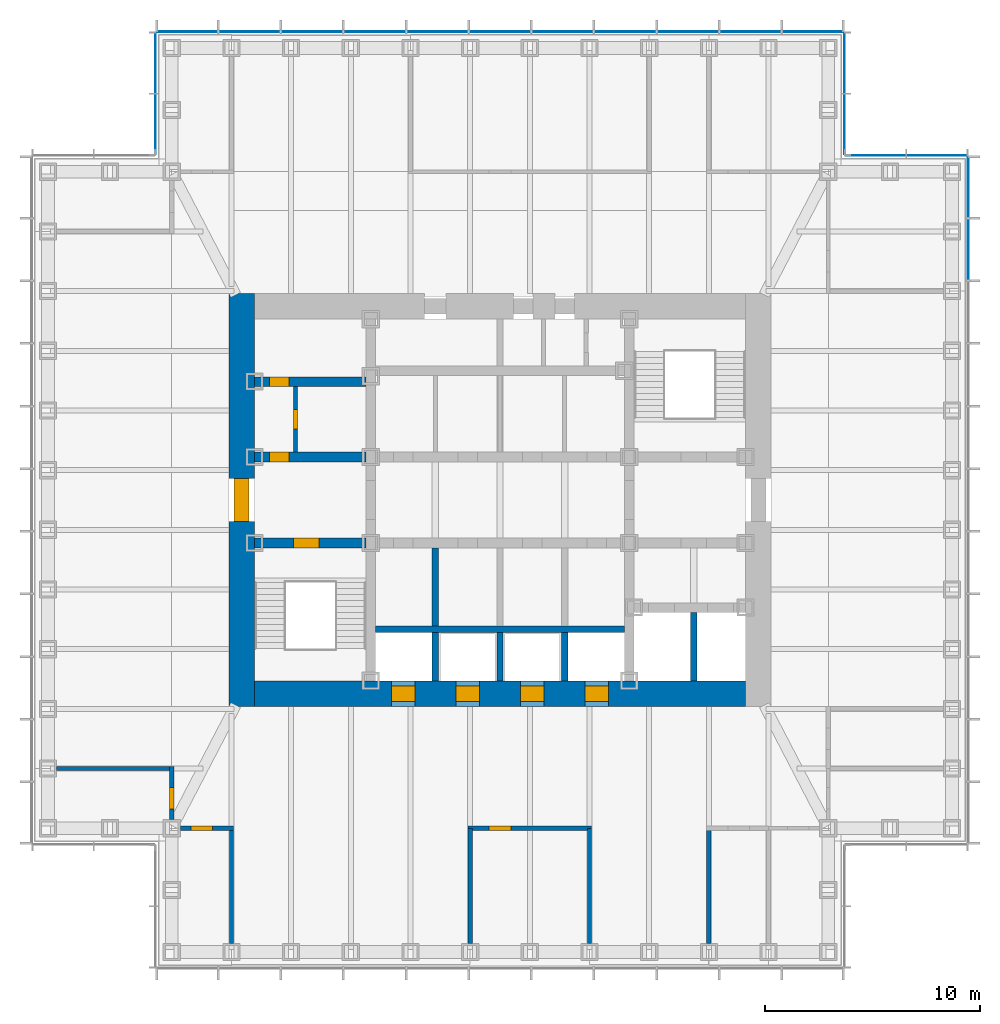
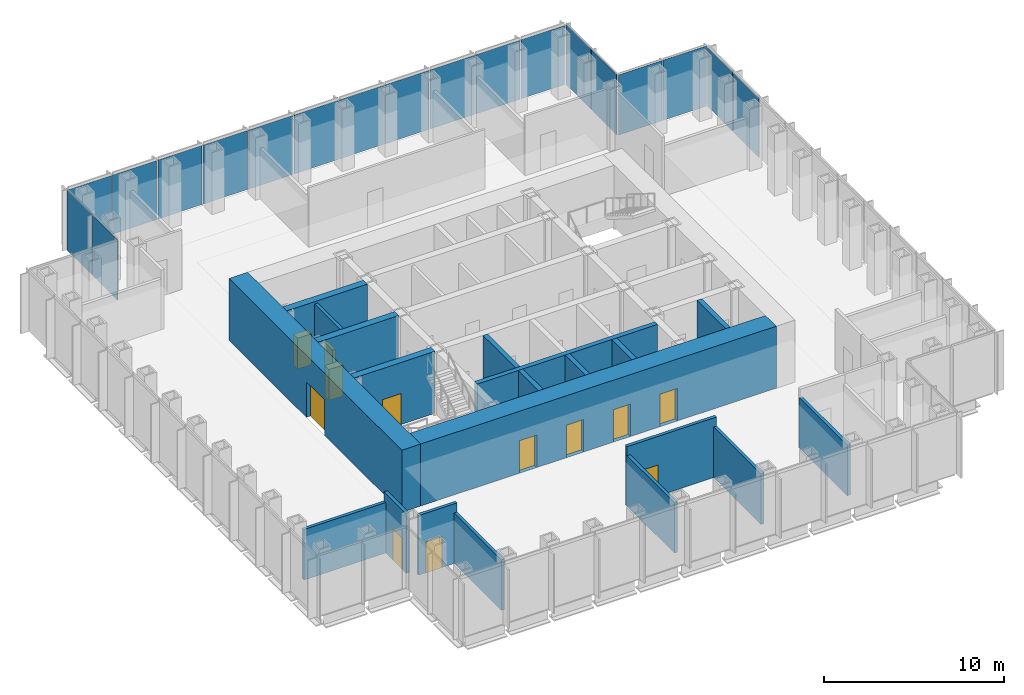
# One storey, part 8 of 16: 20 walls, 19 plates, 12 doors, 12 openings, 5 elements without a shape of their own.
"""IFC4 building model written with IfcOpenShell, lengths in metres."""

import ifcopenshell
import ifcopenshell.guid

model = None  # the IFC model being written
_history = None  # IfcOwnerHistory: only IFC2X3 demands one
_inside = {}  # id of a spatial element -> (the spatial element, [elements in it])
_under = {}  # id of a project, library or spatial element -> (it, [spatial elements below it])
_declared = {}  # id of a project -> (the project, [libraries it declares])
_typed = {}  # id of a type object -> (the type object, [elements of that type])
_made_of = {}  # id of a material, layer set ... -> (it, [elements and type objects made of it])


def new_model(schema):
    """Start an empty IFC model of exactly this schema.

    Asked for "IFC4X3", IfcOpenShell would pick the latest addendum, in which some entities
    have other attributes; the version numbers below select the first issue.
    IFC2X3 requires an IfcOwnerHistory on every rooted entity: one is made here for all.
    """
    global model, _history
    if schema == "IFC4X3":
        model = ifcopenshell.file(schema_version=(4, 3, 0, 0))
    else:
        model = ifcopenshell.file(schema=schema)
    _inside.clear()
    _under.clear()
    _declared.clear()
    _typed.clear()
    _made_of.clear()
    _history = None
    if model.schema == "IFC2X3":
        org = make("IfcOrganization", Name="unknown")
        user = make(
            "IfcPersonAndOrganization",
            ThePerson=make("IfcPerson", FamilyName="unknown"),
            TheOrganization=org,
        )
        app = make(
            "IfcApplication",
            ApplicationDeveloper=org,
            Version="unknown",
            ApplicationFullName="unknown",
            ApplicationIdentifier="unknown",
        )
        _history = make(
            "IfcOwnerHistory",
            OwningUser=user,
            OwningApplication=app,
            ChangeAction="ADDED",
            CreationDate=0,
        )
    return model


def make(cls, **values):
    """One entity of the class cls with the attributes given. An attribute that is None is left unset."""
    return model.create_entity(
        cls, **{name: value for name, value in values.items() if value is not None}
    )


def rooted(cls, **values):
    """An entity with a GlobalId (a new one), such as an element, a storey or a relation."""
    return make(cls, GlobalId=ifcopenshell.guid.new(), OwnerHistory=_history, **values)


def si_unit(unit_type, name, prefix=None):
    """IfcSIUnit, for example si_unit("LENGTHUNIT", "METRE", prefix="MILLI")."""
    return make("IfcSIUnit", UnitType=unit_type, Prefix=prefix, Name=name)


def assignment(units):
    """IfcUnitAssignment: the units of a project."""
    return None if units is None else make("IfcUnitAssignment", Units=units)


def point(xyz):
    """IfcCartesianPoint."""
    return None if xyz is None else make("IfcCartesianPoint", Coordinates=xyz)


def direction(xyz):
    """IfcDirection."""
    return None if xyz is None else make("IfcDirection", DirectionRatios=xyz)


def frame(location, z_axis=None, x_axis=None):
    """IfcAxis2Placement3D, a coordinate frame: its origin and axes. An axis left out is left unset."""
    return make(
        "IfcAxis2Placement3D",
        Location=point(location),
        Axis=direction(z_axis),
        RefDirection=direction(x_axis),
    )


def frame_2d(location, x_axis=None):
    """IfcAxis2Placement2D, a coordinate frame in the plane: its origin and x axis."""
    return make(
        "IfcAxis2Placement2D", Location=point(location), RefDirection=direction(x_axis)
    )


def origin():
    """The frame at (0, 0, 0) with its axes left unset."""
    return frame((0.0, 0.0, 0.0))


def origin_2d():
    """The frame at (0, 0) in the plane with its x axis left unset."""
    return frame_2d((0.0, 0.0))


def place(relative_to, where):
    """IfcLocalPlacement: puts the frame where relative to a parent placement (None: the world)."""
    return make(
        "IfcLocalPlacement", PlacementRelTo=relative_to, RelativePlacement=where
    )


def context(
    kind, dimensions, precision=None, world=None, true_north=None, identifier=None
):
    """IfcGeometricRepresentationContext, for example the 3D "Model" context."""
    return make(
        "IfcGeometricRepresentationContext",
        ContextIdentifier=identifier,
        ContextType=kind,
        CoordinateSpaceDimension=dimensions,
        Precision=precision,
        WorldCoordinateSystem=world,
        TrueNorth=true_north,
    )


def subcontext(parent, identifier, kind, view, scale=None):
    """IfcGeometricRepresentationSubContext, for example "Body" below "Model"."""
    return make(
        "IfcGeometricRepresentationSubContext",
        ContextIdentifier=identifier,
        ContextType=kind,
        ParentContext=parent,
        TargetScale=scale,
        TargetView=view,
    )


def project(units=None, contexts=None):
    """IfcProject with its units and contexts."""
    return rooted(
        "IfcProject",
        Name="project",
        RepresentationContexts=contexts,
        UnitsInContext=assignment(units),
    )


def spatial(cls, under=None, at=None, **own):
    """A site, building, storey or space (cls), placed at a placement, below another one or the project."""
    s = rooted(cls, ObjectPlacement=at, **own)
    if under is not None:
        _under.setdefault(under.id(), (under, []))[1].append(s)
    return s


def profile(cls, at=None, kind="AREA", **sizes):
    """A parametric profile (cls). Its sizes go by their IFC names, for example OverallWidth=200.0."""
    return make(cls, ProfileType=kind, Position=at, **sizes)


def rectangle(**sizes):
    """IfcRectangleProfileDef."""
    return profile("IfcRectangleProfileDef", **sizes)


def extrude(swept, where, along, depth):
    """IfcExtrudedAreaSolid: the profile swept, set in the frame where, extruded along a direction by depth."""
    return make(
        "IfcExtrudedAreaSolid",
        SweptArea=swept,
        Position=where,
        ExtrudedDirection=direction(along),
        Depth=depth,
    )


def shape(context_of_items, identifier, shape_type, items):
    """IfcShapeRepresentation: the items that make up one representation, for example the "Body"."""
    return make(
        "IfcShapeRepresentation",
        ContextOfItems=context_of_items,
        RepresentationIdentifier=identifier,
        RepresentationType=shape_type,
        Items=items,
    )


def material(Name=None, Category=None):
    """IfcMaterial."""
    return make("IfcMaterial", Name=Name, Category=Category)


def layer(
    of_material, thickness, ventilated=None, Name=None, Category=None, Priority=None
):
    """IfcMaterialLayer: one layer of a wall or slab, of a material (None: an air gap)."""
    return make(
        "IfcMaterialLayer",
        Material=of_material,
        LayerThickness=thickness,
        IsVentilated=ventilated,
        Name=Name,
        Category=Category,
        Priority=Priority,
    )


def layer_set(layers, Name=None):
    """IfcMaterialLayerSet."""
    return make("IfcMaterialLayerSet", MaterialLayers=layers, LayerSetName=Name)


def made_of(thing, what):
    """Note that an element or type object is made of a material, layer set ...; save() writes the relation."""
    if what is not None:
        _made_of.setdefault(what.id(), (what, []))[1].append(thing)
    return thing


def type_object(cls, material=None, **own):
    """A type object (cls), such as IfcWallType, which elements share."""
    return made_of(rooted(cls, **own), material)


def element(
    cls,
    number,
    at=None,
    inside=None,
    cuts=None,
    type_object=None,
    material=None,
    context=None,
    identifier="Body",
    shape_type=None,
    held_by="IfcProductDefinitionShape",
    body=None,
    shapes=None,
    **own,
):
    """One element of the class cls, such as IfcWall. Its Tag is "e" and its number.

    at: its placement. inside: the storey or other place that contains it. cuts: it is an
    opening in that element (IfcRelVoidsElement). A single representation is given by context,
    identifier, shape_type and body (its items); several are given by shapes. held_by: the class
    of the entity that holds the representations. save() writes the other relations.
    """
    e = rooted(cls, Tag="e%d" % number, ObjectPlacement=at, **own)
    if body is not None:
        shapes = [shape(context, identifier, shape_type, body)]
    if shapes is not None:
        e.Representation = make(held_by, Representations=shapes)
    if inside is not None:
        _inside.setdefault(inside.id(), (inside, []))[1].append(e)
    if cuts is not None:
        rooted(
            "IfcRelVoidsElement", RelatingBuildingElement=cuts, RelatedOpeningElement=e
        )
    if type_object is not None:
        _typed.setdefault(type_object.id(), (type_object, []))[1].append(e)
    return made_of(e, material)


def fill(opening, filler):
    """IfcRelFillsElement: the door or window that sits in an opening."""
    return rooted(
        "IfcRelFillsElement",
        RelatingOpeningElement=opening,
        RelatedBuildingElement=filler,
    )


def aggregate(whole, parts):
    """IfcRelAggregates: a whole, such as a stair, and the parts it consists of."""
    return rooted("IfcRelAggregates", RelatingObject=whole, RelatedObjects=parts)


def save(model, path):
    """Write the relations noted so far, then the file.

    IfcRelAggregates (storeys below a building ...), IfcRelContainedInSpatialStructure (elements
    in a storey), IfcRelDefinesByType, IfcRelAssociatesMaterial and IfcRelDeclares: one each for
    every whole, place, type object, material and project.
    """
    for whole, parts in _under.values():
        aggregate(whole, parts)
    for where, things in _inside.values():
        rooted(
            "IfcRelContainedInSpatialStructure",
            RelatedElements=things,
            RelatingStructure=where,
        )
    for kind, things in _typed.values():
        rooted("IfcRelDefinesByType", RelatedObjects=things, RelatingType=kind)
    for what, things in _made_of.values():
        rooted("IfcRelAssociatesMaterial", RelatedObjects=things, RelatingMaterial=what)
    for by, libraries in _declared.values():
        rooted("IfcRelDeclares", RelatingContext=by, RelatedDefinitions=libraries)
    model.write(path)


model = new_model("IFC4")

# Units and contexts
model_context = context("Model", 3, precision=1e-05, world=origin(), true_north=direction((0.0, 1.0)))
body_context = subcontext(model_context, "Body", "Model", "MODEL_VIEW")
ifc_project = project(units=[si_unit("LENGTHUNIT", "METRE"), si_unit("AREAUNIT", "SQUARE_METRE"), si_unit("VOLUMEUNIT", "CUBIC_METRE"), si_unit("PLANEANGLEUNIT", "RADIAN"), si_unit("MASSUNIT", "GRAM", prefix="KILO")], contexts=[model_context])

# Site, building, storey
site_placement = place(None, origin())
site = spatial("IfcSite", under=ifc_project, at=site_placement, CompositionType="ELEMENT")
building_placement = place(site_placement, origin())
building = spatial("IfcBuilding", under=site, at=building_placement, Name="Daluyong Arena Tower", CompositionType="ELEMENT")
storey_placement = place(building_placement, frame((0.0, 0.0, 258.699951171875)))
storey = spatial("IfcBuildingStorey", under=building, at=storey_placement, Name="L58", CompositionType="ELEMENT", Elevation=258.699951171875)

# Curtain wall, plates
ifc_material_1 = material(Name="Bronze anodised aluminium and glass", Category="aluminium")
curtain_wall_type_1 = type_object("IfcCurtainWallType", Name="Curtain wall CW4", PredefinedType="USERDEFINED", material=ifc_material_1)
curtain_wall_1_placement = place(storey_placement, origin())
curtain_wall_1 = element("IfcCurtainWall", 1, at=curtain_wall_1_placement, inside=storey, type_object=curtain_wall_type_1, Name="curtain wall L58 E", ObjectType="UNITISED CURTAIN WALL", PredefinedType="USERDEFINED")
ifc_material_2 = material(Name="Tinted laminated double glazed unit", Category="glass")
ifc_layer_1 = layer(ifc_material_2, 0.035888671875)
ifc_layer_set_1 = layer_set([ifc_layer_1], Name="Tinted laminated double glazed unit")
plate_type_1 = type_object("IfcPlateType", Name="CW4 panel 36", PredefinedType="CURTAIN_PANEL", material=ifc_layer_set_1)
plate_1_placement = place(storey_placement, frame((77.75, 91.636474609375, 0.0), z_axis=(0.0, 0.0, 1.0), x_axis=(0.0, 1.0, 0.0)))
plate_1 = element("IfcPlate", 2, at=plate_1_placement, type_object=plate_type_1, Name="curtain wall L58 E panel 10", PredefinedType="CURTAIN_PANEL", context=body_context, shape_type="SweptSolid", body=[
    extrude(rectangle(XDim=2.819091796875, YDim=0.035888671875, at=origin_2d()), origin(), (0.0, 0.0, 1.0), 4.0),
])
plate_2_placement = place(storey_placement, frame((77.75, 94.52294921875, 0.0), z_axis=(0.0, 0.0, 1.0), x_axis=(0.0, 1.0, 0.0)))
plate_2 = element("IfcPlate", 3, at=plate_2_placement, type_object=plate_type_1, Name="curtain wall L58 E panel 11", PredefinedType="CURTAIN_PANEL", context=body_context, shape_type="SweptSolid", body=[
    extrude(rectangle(XDim=2.774169921875, YDim=0.035888671875, at=origin_2d()), origin(), (0.0, 0.0, 1.0), 4.0),
])
aggregate(curtain_wall_1, [plate_1, plate_2])

curtain_wall_2_placement = place(storey_placement, origin())
curtain_wall_2 = element("IfcCurtainWall", 4, at=curtain_wall_2_placement, inside=storey, type_object=curtain_wall_type_1, Name="curtain wall L58 N", ObjectType="UNITISED CURTAIN WALL", PredefinedType="USERDEFINED")
plate_3_placement = place(storey_placement, frame((70.52294921875, 101.75, 0.0), z_axis=(0.0, 0.0, 1.0), x_axis=(-1.0, 0.0, 0.0)))
plate_3 = element("IfcPlate", 5, at=plate_3_placement, type_object=plate_type_1, Name="curtain wall L58 N panel 1", PredefinedType="CURTAIN_PANEL", context=body_context, shape_type="SweptSolid", body=[
    extrude(rectangle(XDim=2.774169921875, YDim=0.035888671875, at=origin_2d()), origin(), (0.0, 0.0, 1.0), 4.0),
])
plate_4_placement = place(storey_placement, frame((67.636474609375, 101.75, 0.0), z_axis=(0.0, 0.0, 1.0), x_axis=(-1.0, 0.0, 0.0)))
plate_4 = element("IfcPlate", 6, at=plate_4_placement, type_object=plate_type_1, Name="curtain wall L58 N panel 2", PredefinedType="CURTAIN_PANEL", context=body_context, shape_type="SweptSolid", body=[
    extrude(rectangle(XDim=2.819091796875, YDim=0.035888671875, at=origin_2d()), origin(), (0.0, 0.0, 1.0), 4.0),
])
plate_5_placement = place(storey_placement, frame((64.727294921875, 101.75, 0.0), z_axis=(0.0, 0.0, 1.0), x_axis=(-1.0, 0.0, 0.0)))
plate_5 = element("IfcPlate", 7, at=plate_5_placement, type_object=plate_type_1, Name="curtain wall L58 N panel 3", PredefinedType="CURTAIN_PANEL", context=body_context, shape_type="SweptSolid", body=[
    extrude(rectangle(XDim=2.819091796875, YDim=0.035888671875, at=origin_2d()), origin(), (0.0, 0.0, 1.0), 4.0),
])
plate_6_placement = place(storey_placement, frame((61.818115234375, 101.75, 0.0), z_axis=(0.0, 0.0, 1.0), x_axis=(-1.0, 0.0, 0.0)))
plate_6 = element("IfcPlate", 8, at=plate_6_placement, type_object=plate_type_1, Name="curtain wall L58 N panel 4", PredefinedType="CURTAIN_PANEL", context=body_context, shape_type="SweptSolid", body=[
    extrude(rectangle(XDim=2.819091796875, YDim=0.035888671875, at=origin_2d()), origin(), (0.0, 0.0, 1.0), 4.0),
])
plate_7_placement = place(storey_placement, frame((58.9091796875, 101.75, 0.0), z_axis=(0.0, 0.0, 1.0), x_axis=(-1.0, 0.0, 0.0)))
plate_7 = element("IfcPlate", 9, at=plate_7_placement, type_object=plate_type_1, Name="curtain wall L58 N panel 5", PredefinedType="CURTAIN_PANEL", context=body_context, shape_type="SweptSolid", body=[
    extrude(rectangle(XDim=2.819091796875, YDim=0.035888671875, at=origin_2d()), origin(), (0.0, 0.0, 1.0), 4.0),
])
plate_8_placement = place(storey_placement, frame((56.0, 101.75, 0.0), z_axis=(0.0, 0.0, 1.0), x_axis=(-1.0, 0.0, 0.0)))
plate_8 = element("IfcPlate", 10, at=plate_8_placement, type_object=plate_type_1, Name="curtain wall L58 N panel 6", PredefinedType="CURTAIN_PANEL", context=body_context, shape_type="SweptSolid", body=[
    extrude(rectangle(XDim=2.819091796875, YDim=0.035888671875, at=origin_2d()), origin(), (0.0, 0.0, 1.0), 4.0),
])
plate_9_placement = place(storey_placement, frame((53.0908203125, 101.75, 0.0), z_axis=(0.0, 0.0, 1.0), x_axis=(-1.0, 0.0, 0.0)))
plate_9 = element("IfcPlate", 11, at=plate_9_placement, type_object=plate_type_1, Name="curtain wall L58 N panel 7", PredefinedType="CURTAIN_PANEL", context=body_context, shape_type="SweptSolid", body=[
    extrude(rectangle(XDim=2.819091796875, YDim=0.035888671875, at=origin_2d()), origin(), (0.0, 0.0, 1.0), 4.0),
])
plate_10_placement = place(storey_placement, frame((50.181884765625, 101.75, 0.0), z_axis=(0.0, 0.0, 1.0), x_axis=(-1.0, 0.0, 0.0)))
plate_10 = element("IfcPlate", 12, at=plate_10_placement, type_object=plate_type_1, Name="curtain wall L58 N panel 8", PredefinedType="CURTAIN_PANEL", context=body_context, shape_type="SweptSolid", body=[
    extrude(rectangle(XDim=2.819091796875, YDim=0.035888671875, at=origin_2d()), origin(), (0.0, 0.0, 1.0), 4.0),
])
plate_11_placement = place(storey_placement, frame((47.272705078125, 101.75, 0.0), z_axis=(0.0, 0.0, 1.0), x_axis=(-1.0, 0.0, 0.0)))
plate_11 = element("IfcPlate", 13, at=plate_11_placement, type_object=plate_type_1, Name="curtain wall L58 N panel 9", PredefinedType="CURTAIN_PANEL", context=body_context, shape_type="SweptSolid", body=[
    extrude(rectangle(XDim=2.819091796875, YDim=0.035888671875, at=origin_2d()), origin(), (0.0, 0.0, 1.0), 4.0),
])
plate_12_placement = place(storey_placement, frame((44.363525390625, 101.75, 0.0), z_axis=(0.0, 0.0, 1.0), x_axis=(-1.0, 0.0, 0.0)))
plate_12 = element("IfcPlate", 14, at=plate_12_placement, type_object=plate_type_1, Name="curtain wall L58 N panel 10", PredefinedType="CURTAIN_PANEL", context=body_context, shape_type="SweptSolid", body=[
    extrude(rectangle(XDim=2.819091796875, YDim=0.035888671875, at=origin_2d()), origin(), (0.0, 0.0, 1.0), 4.0),
])
plate_13_placement = place(storey_placement, frame((41.47705078125, 101.75, 0.0), z_axis=(0.0, 0.0, 1.0), x_axis=(-1.0, 0.0, 0.0)))
plate_13 = element("IfcPlate", 15, at=plate_13_placement, type_object=plate_type_1, Name="curtain wall L58 N panel 11", PredefinedType="CURTAIN_PANEL", context=body_context, shape_type="SweptSolid", body=[
    extrude(rectangle(XDim=2.774169921875, YDim=0.035888671875, at=origin_2d()), origin(), (0.0, 0.0, 1.0), 4.0),
])
aggregate(curtain_wall_2, [plate_3, plate_4, plate_5, plate_6, plate_7, plate_8, plate_9, plate_10, plate_11, plate_12, plate_13])

ifc_material_3 = material(Name="Bronze anodised aluminium and glass", Category="aluminium")
curtain_wall_type_2 = type_object("IfcCurtainWallType", Name="Curtain wall CW7", PredefinedType="USERDEFINED", material=ifc_material_3)
curtain_wall_3_placement = place(storey_placement, origin())
curtain_wall_3 = element("IfcCurtainWall", 16, at=curtain_wall_3_placement, inside=storey, type_object=curtain_wall_type_2, Name="curtain wall L58 NE-N", ObjectType="UNITISED CURTAIN WALL", PredefinedType="USERDEFINED")
ifc_material_4 = material(Name="Tinted double glazed unit", Category="glass")
ifc_layer_2 = layer(ifc_material_4, 0.028076171875)
ifc_layer_set_2 = layer_set([ifc_layer_2], Name="Tinted double glazed unit")
plate_type_2 = type_object("IfcPlateType", Name="CW7 panel 28", PredefinedType="CURTAIN_PANEL", material=ifc_layer_set_2)
plate_14_placement = place(storey_placement, frame((76.297607421875, 96.0, 0.0), z_axis=(0.0, 0.0, 1.0), x_axis=(-1.0, 0.0, 0.0)))
plate_14 = element("IfcPlate", 17, at=plate_14_placement, type_object=plate_type_2, Name="curtain wall L58 NE-N panel 1", PredefinedType="CURTAIN_PANEL", context=body_context, shape_type="SweptSolid", body=[
    extrude(rectangle(XDim=2.784912109375, YDim=0.028076171875, at=origin_2d()), origin(), (0.0, 0.0, 1.0), 4.080078125),
])
plate_15_placement = place(storey_placement, frame((73.452392578125, 96.0, 0.0), z_axis=(0.0, 0.0, 1.0), x_axis=(-1.0, 0.0, 0.0)))
plate_15 = element("IfcPlate", 18, at=plate_15_placement, type_object=plate_type_2, Name="curtain wall L58 NE-N panel 2", PredefinedType="CURTAIN_PANEL", context=body_context, shape_type="SweptSolid", body=[
    extrude(rectangle(XDim=2.784912109375, YDim=0.028076171875, at=origin_2d()), origin(), (0.0, 0.0, 1.0), 4.080078125),
])
aggregate(curtain_wall_3, [plate_14, plate_15])

curtain_wall_4_placement = place(storey_placement, origin())
curtain_wall_4 = element("IfcCurtainWall", 19, at=curtain_wall_4_placement, inside=storey, type_object=curtain_wall_type_2, Name="curtain wall L58 NE-E", ObjectType="UNITISED CURTAIN WALL", PredefinedType="USERDEFINED")
plate_16_placement = place(storey_placement, frame((72.0, 97.452392578125, 0.0), z_axis=(0.0, 0.0, 1.0), x_axis=(0.0, 1.0, 0.0)))
plate_16 = element("IfcPlate", 20, at=plate_16_placement, type_object=plate_type_2, Name="curtain wall L58 NE-E panel 1", PredefinedType="CURTAIN_PANEL", context=body_context, shape_type="SweptSolid", body=[
    extrude(rectangle(XDim=2.784912109375, YDim=0.028076171875, at=origin_2d()), origin(), (0.0, 0.0, 1.0), 4.080078125),
])
plate_17_placement = place(storey_placement, frame((72.0, 100.297607421875, 0.0), z_axis=(0.0, 0.0, 1.0), x_axis=(0.0, 1.0, 0.0)))
plate_17 = element("IfcPlate", 21, at=plate_17_placement, type_object=plate_type_2, Name="curtain wall L58 NE-E panel 2", PredefinedType="CURTAIN_PANEL", context=body_context, shape_type="SweptSolid", body=[
    extrude(rectangle(XDim=2.784912109375, YDim=0.028076171875, at=origin_2d()), origin(), (0.0, 0.0, 1.0), 4.080078125),
])
aggregate(curtain_wall_4, [plate_16, plate_17])

curtain_wall_5_placement = place(storey_placement, origin())
curtain_wall_5 = element("IfcCurtainWall", 22, at=curtain_wall_5_placement, inside=storey, type_object=curtain_wall_type_2, Name="curtain wall L58 NW-W", ObjectType="UNITISED CURTAIN WALL", PredefinedType="USERDEFINED")
plate_18_placement = place(storey_placement, frame((40.0, 100.297607421875, 0.0), z_axis=(0.0, 0.0, 1.0), x_axis=(0.0, -1.0, 0.0)))
plate_18 = element("IfcPlate", 23, at=plate_18_placement, type_object=plate_type_2, Name="curtain wall L58 NW-W panel 1", PredefinedType="CURTAIN_PANEL", context=body_context, shape_type="SweptSolid", body=[
    extrude(rectangle(XDim=2.784912109375, YDim=0.028076171875, at=origin_2d()), origin(), (0.0, 0.0, 1.0), 4.080078125),
])
plate_19_placement = place(storey_placement, frame((40.0, 97.452392578125, 0.0), z_axis=(0.0, 0.0, 1.0), x_axis=(0.0, -1.0, 0.0)))
plate_19 = element("IfcPlate", 24, at=plate_19_placement, type_object=plate_type_2, Name="curtain wall L58 NW-W panel 2", PredefinedType="CURTAIN_PANEL", context=body_context, shape_type="SweptSolid", body=[
    extrude(rectangle(XDim=2.784912109375, YDim=0.028076171875, at=origin_2d()), origin(), (0.0, 0.0, 1.0), 4.080078125),
])
aggregate(curtain_wall_5, [plate_18, plate_19])

# Wall, opening, door
ifc_material_5 = material(Name="Concrete fc' 45 MPa", Category="concrete")
ifc_layer_3 = layer(ifc_material_5, 0.449951171875)
ifc_layer_set_3 = layer_set([ifc_layer_3], Name="Concrete fc' 45 MPa")
wall_type_1 = type_object("IfcWallType", Name="Core inner wall 450", PredefinedType="SHEAR", material=ifc_layer_set_3)
wall_1_placement = place(storey_placement, frame((44.60009765625, 78.0, 0.0), z_axis=(0.0, 0.0, 1.0), x_axis=(1.0, 0.0, 0.0)))
wall_1 = element("IfcWall", 25, at=wall_1_placement, inside=storey, type_object=wall_type_1, Name="core inner wall at L58", PredefinedType="SHEAR", context=body_context, shape_type="SweptSolid", body=[
    extrude(rectangle(XDim=5.1748046875, YDim=0.449951171875, at=frame_2d((2.58740234375, 0.0))), origin(), (0.0, 0.0, 1.0), 4.199951171875),
])
opening_1_placement = place(wall_1_placement, frame((1.800048828125, 0.0, 0.0)))
opening_1 = element("IfcOpeningElement", 26, at=opening_1_placement, cuts=wall_1, Name="Opening 58016", PredefinedType="OPENING", context=body_context, shape_type="SweptSolid", body=[
    extrude(rectangle(XDim=1.199951171875, YDim=2.10009765625, at=frame_2d((0.60009765625, 1.050048828125))), frame((0.0, 0.23486328125, 0.0), z_axis=(0.0, -1.0, 0.0), x_axis=(1.0, 0.0, 0.0)), (0.0, 0.0, 1.0), 0.469970703125),
])
ifc_material_6 = material(Name="Steel door, fire rated", Category="steel")
door_type_1 = type_object("IfcDoorType", Name="Stair door 1200", OperationType="SINGLE_SWING_LEFT", PredefinedType="DOOR", material=ifc_material_6)
door_1_placement = place(opening_1_placement, origin())
door_1 = element("IfcDoor", 27, at=door_1_placement, inside=storey, type_object=door_type_1, Name="stair A door 58016", OperationType="SINGLE_SWING_LEFT", OverallHeight=2.10009765625, OverallWidth=1.199951171875, PredefinedType="DOOR", context=body_context, shape_type="SweptSolid", body=[
    extrude(rectangle(XDim=1.199951171875, YDim=2.10009765625, at=frame_2d((0.60009765625, 1.050048828125))), frame((0.0, 0.224609375, 0.0), z_axis=(0.0, -1.0, 0.0), x_axis=(1.0, 0.0, 0.0)), (0.0, 0.0, 1.0), 0.449462890625),
])
fill(opening_1, door_1)

wall_2_placement = place(storey_placement, frame((44.60009765625, 82.0, 0.0), z_axis=(0.0, 0.0, 1.0), x_axis=(1.0, 0.0, 0.0)))
wall_2 = element("IfcWall", 28, at=wall_2_placement, inside=storey, type_object=wall_type_1, Name="core inner wall at L58", PredefinedType="SHEAR", context=body_context, shape_type="SweptSolid", body=[
    extrude(rectangle(XDim=5.1748046875, YDim=0.449951171875, at=frame_2d((2.58740234375, 0.0))), origin(), (0.0, 0.0, 1.0), 4.199951171875),
])
opening_2_placement = place(wall_2_placement, frame((0.699951171875, 0.0, 0.0)))
opening_2 = element("IfcOpeningElement", 29, at=opening_2_placement, cuts=wall_2, Name="Opening 58001", PredefinedType="OPENING", context=body_context, shape_type="SweptSolid", body=[
    extrude(rectangle(XDim=0.89990234375, YDim=2.10009765625, at=frame_2d((0.449951171875, 1.050048828125))), frame((0.0, 0.23486328125, 0.0), z_axis=(0.0, -1.0, 0.0), x_axis=(1.0, 0.0, 0.0)), (0.0, 0.0, 1.0), 0.469970703125),
])
ifc_material_7 = material(Name="Steel door, fire rated", Category="steel")
door_type_2 = type_object("IfcDoorType", Name="Core room door 900", OperationType="SINGLE_SWING_LEFT", PredefinedType="DOOR", material=ifc_material_7)
door_2_placement = place(opening_2_placement, origin())
door_2 = element("IfcDoor", 30, at=door_2_placement, inside=storey, type_object=door_type_2, Name="toilet lobby door 58001", OperationType="SINGLE_SWING_LEFT", OverallHeight=2.10009765625, OverallWidth=0.89990234375, PredefinedType="DOOR", context=body_context, shape_type="SweptSolid", body=[
    extrude(rectangle(XDim=0.89990234375, YDim=2.10009765625, at=frame_2d((0.449951171875, 1.050048828125))), frame((0.0, 0.224609375, 0.0), z_axis=(0.0, -1.0, 0.0), x_axis=(1.0, 0.0, 0.0)), (0.0, 0.0, 1.0), 0.449462890625),
])
fill(opening_2, door_2)

wall_3_placement = place(storey_placement, frame((44.60009765625, 85.5, 0.0), z_axis=(0.0, 0.0, 1.0), x_axis=(1.0, 0.0, 0.0)))
wall_3 = element("IfcWall", 31, at=wall_3_placement, inside=storey, type_object=wall_type_1, Name="core inner wall at L58", PredefinedType="SHEAR", context=body_context, shape_type="SweptSolid", body=[
    extrude(rectangle(XDim=5.1748046875, YDim=0.449951171875, at=frame_2d((2.58740234375, 0.0))), origin(), (0.0, 0.0, 1.0), 4.199951171875),
])
opening_3_placement = place(wall_3_placement, frame((0.699951171875, 0.0, 0.0)))
opening_3 = element("IfcOpeningElement", 32, at=opening_3_placement, cuts=wall_3, Name="Opening 58003", PredefinedType="OPENING", context=body_context, shape_type="SweptSolid", body=[
    extrude(rectangle(XDim=0.89990234375, YDim=2.10009765625, at=frame_2d((0.449951171875, 1.050048828125))), frame((0.0, 0.23486328125, 0.0), z_axis=(0.0, -1.0, 0.0), x_axis=(1.0, 0.0, 0.0)), (0.0, 0.0, 1.0), 0.469970703125),
])
ifc_material_8 = material(Name="Timber door", Category="wood")
door_type_3 = type_object("IfcDoorType", Name="Toilet door 900", OperationType="SINGLE_SWING_RIGHT", PredefinedType="DOOR", material=ifc_material_8)
door_3_placement = place(opening_3_placement, origin())
door_3 = element("IfcDoor", 33, at=door_3_placement, inside=storey, type_object=door_type_3, Name="female toilet door 58003", OperationType="SINGLE_SWING_RIGHT", OverallHeight=2.10009765625, OverallWidth=0.89990234375, PredefinedType="DOOR", context=body_context, shape_type="SweptSolid", body=[
    extrude(rectangle(XDim=0.89990234375, YDim=2.10009765625, at=frame_2d((0.449951171875, 1.050048828125))), frame((0.0, 0.224609375, 0.0), z_axis=(0.0, -1.0, 0.0), x_axis=(1.0, 0.0, 0.0)), (0.0, 0.0, 1.0), 0.449462890625),
])
fill(opening_3, door_3)

ifc_material_9 = material(Name="Concrete fc' 60 MPa", Category="concrete")
ifc_layer_4 = layer(ifc_material_9, 1.199951171875)
ifc_layer_set_4 = layer_set([ifc_layer_4], Name="Concrete fc' 60 MPa")
wall_type_2 = type_object("IfcWallType", Name="Core wall 1200", PredefinedType="SHEAR", material=ifc_layer_set_4)
wall_4_placement = place(storey_placement, frame((44.0, 70.39990234375, 0.0), z_axis=(0.0, 0.0, 1.0), x_axis=(0.0, 1.0, 0.0)))
wall_4 = element("IfcWall", 34, at=wall_4_placement, inside=storey, type_object=wall_type_2, Name="core wall at L58", PredefinedType="SHEAR", context=body_context, shape_type="SweptSolid", body=[
    extrude(rectangle(XDim=19.2001953125, YDim=1.199951171875, at=frame_2d((9.60009765625, 0.0))), origin(), (0.0, 0.0, 1.0), 4.199951171875),
])
opening_4_placement = place(wall_4_placement, frame((8.60009765625, 0.0, 0.0)))
opening_4 = element("IfcOpeningElement", 35, at=opening_4_placement, cuts=wall_4, Name="Opening 58018", PredefinedType="OPENING", context=body_context, shape_type="SweptSolid", body=[
    extrude(rectangle(XDim=2.0, YDim=2.39990234375, at=frame_2d((1.0, 1.199951171875))), frame((0.0, 0.60986328125, 0.0), z_axis=(0.0, -1.0, 0.0), x_axis=(1.0, 0.0, 0.0)), (0.0, 0.0, 1.0), 1.219970703125),
])
ifc_material_10 = material(Name="Steel door, fire rated", Category="steel")
door_type_4 = type_object("IfcDoorType", Name="Core lobby double door 2000", OperationType="DOUBLE_DOOR_SINGLE_SWING", PredefinedType="DOOR", material=ifc_material_10)
door_4_placement = place(opening_4_placement, origin())
door_4 = element("IfcDoor", 36, at=door_4_placement, inside=storey, type_object=door_type_4, Name="core lobby door west 58018", OperationType="DOUBLE_DOOR_SINGLE_SWING", OverallHeight=2.39990234375, OverallWidth=2.0, PredefinedType="DOOR", context=body_context, shape_type="SweptSolid", body=[
    extrude(rectangle(XDim=2.0, YDim=2.39990234375, at=frame_2d((1.0, 1.199951171875))), frame((0.0, 0.35009765625, 0.0), z_axis=(0.0, -1.0, 0.0), x_axis=(1.0, 0.0, 0.0)), (0.0, 0.0, 1.0), 0.699951171875),
])
fill(opening_4, door_4)

# Wall, openings, doors
wall_5_placement = place(storey_placement, frame((44.60009765625, 71.0, 0.0), z_axis=(0.0, 0.0, 1.0), x_axis=(1.0, 0.0, 0.0)))
wall_5 = element("IfcWall", 37, at=wall_5_placement, inside=storey, type_object=wall_type_2, Name="core wall at L58", PredefinedType="SHEAR", context=body_context, shape_type="SweptSolid", body=[
    extrude(rectangle(XDim=22.7998046875, YDim=1.199951171875, at=frame_2d((11.39990234375, 0.0))), origin(), (0.0, 0.0, 1.0), 4.199951171875),
])
opening_5_placement = place(wall_5_placement, frame((6.35009765625, 0.0, 0.0)))
opening_5 = element("IfcOpeningElement", 38, at=opening_5_placement, cuts=wall_5, Name="Opening 58023", PredefinedType="OPENING", context=body_context, shape_type="SweptSolid", body=[
    extrude(rectangle(XDim=1.10009765625, YDim=2.199951171875, at=frame_2d((0.550048828125, 1.10009765625))), frame((0.0, 0.60986328125, 0.0), z_axis=(0.0, -1.0, 0.0), x_axis=(1.0, 0.0, 0.0)), (0.0, 0.0, 1.0), 1.219970703125),
])
opening_6_placement = place(wall_5_placement, frame((9.35009765625, 0.0, 0.0)))
opening_6 = element("IfcOpeningElement", 39, at=opening_6_placement, cuts=wall_5, Name="Opening 58024", PredefinedType="OPENING", context=body_context, shape_type="SweptSolid", body=[
    extrude(rectangle(XDim=1.10009765625, YDim=2.199951171875, at=frame_2d((0.550048828125, 1.10009765625))), frame((0.0, 0.60986328125, 0.0), z_axis=(0.0, -1.0, 0.0), x_axis=(1.0, 0.0, 0.0)), (0.0, 0.0, 1.0), 1.219970703125),
])
opening_7_placement = place(wall_5_placement, frame((12.35009765625, 0.0, 0.0)))
opening_7 = element("IfcOpeningElement", 40, at=opening_7_placement, cuts=wall_5, Name="Opening 58025", PredefinedType="OPENING", context=body_context, shape_type="SweptSolid", body=[
    extrude(rectangle(XDim=1.10009765625, YDim=2.199951171875, at=frame_2d((0.550048828125, 1.10009765625))), frame((0.0, 0.60986328125, 0.0), z_axis=(0.0, -1.0, 0.0), x_axis=(1.0, 0.0, 0.0)), (0.0, 0.0, 1.0), 1.219970703125),
])
opening_8_placement = place(wall_5_placement, frame((15.35009765625, 0.0, 0.0)))
opening_8 = element("IfcOpeningElement", 41, at=opening_8_placement, cuts=wall_5, Name="Opening 58026", PredefinedType="OPENING", context=body_context, shape_type="SweptSolid", body=[
    extrude(rectangle(XDim=1.10009765625, YDim=2.199951171875, at=frame_2d((0.550048828125, 1.10009765625))), frame((0.0, 0.60986328125, 0.0), z_axis=(0.0, -1.0, 0.0), x_axis=(1.0, 0.0, 0.0)), (0.0, 0.0, 1.0), 1.219970703125),
])
ifc_material_11 = material(Name="Steel door, fire rated", Category="steel")
door_type_5 = type_object("IfcDoorType", Name="Lift landing door 1100", OperationType="SLIDING_TO_LEFT", PredefinedType="DOOR", material=ifc_material_11)
door_5_placement = place(opening_5_placement, origin())
door_5 = element("IfcDoor", 42, at=door_5_placement, inside=storey, type_object=door_type_5, Name="lift landing door C1 58023", OperationType="SLIDING_TO_LEFT", OverallHeight=2.199951171875, OverallWidth=1.10009765625, PredefinedType="DOOR", context=body_context, shape_type="SweptSolid", body=[
    extrude(rectangle(XDim=1.10009765625, YDim=2.199951171875, at=frame_2d((0.550048828125, 1.10009765625))), frame((0.0, 0.35009765625, 0.0), z_axis=(0.0, -1.0, 0.0), x_axis=(1.0, 0.0, 0.0)), (0.0, 0.0, 1.0), 0.699951171875),
])
fill(opening_5, door_5)
door_6_placement = place(opening_6_placement, origin())
door_6 = element("IfcDoor", 43, at=door_6_placement, inside=storey, type_object=door_type_5, Name="lift landing door C2 58024", OperationType="SLIDING_TO_LEFT", OverallHeight=2.199951171875, OverallWidth=1.10009765625, PredefinedType="DOOR", context=body_context, shape_type="SweptSolid", body=[
    extrude(rectangle(XDim=1.10009765625, YDim=2.199951171875, at=frame_2d((0.550048828125, 1.10009765625))), frame((0.0, 0.35009765625, 0.0), z_axis=(0.0, -1.0, 0.0), x_axis=(1.0, 0.0, 0.0)), (0.0, 0.0, 1.0), 0.699951171875),
])
fill(opening_6, door_6)
door_7_placement = place(opening_7_placement, origin())
door_7 = element("IfcDoor", 44, at=door_7_placement, inside=storey, type_object=door_type_5, Name="lift landing door C3 58025", OperationType="SLIDING_TO_LEFT", OverallHeight=2.199951171875, OverallWidth=1.10009765625, PredefinedType="DOOR", context=body_context, shape_type="SweptSolid", body=[
    extrude(rectangle(XDim=1.10009765625, YDim=2.199951171875, at=frame_2d((0.550048828125, 1.10009765625))), frame((0.0, 0.35009765625, 0.0), z_axis=(0.0, -1.0, 0.0), x_axis=(1.0, 0.0, 0.0)), (0.0, 0.0, 1.0), 0.699951171875),
])
fill(opening_7, door_7)
door_8_placement = place(opening_8_placement, origin())
door_8 = element("IfcDoor", 45, at=door_8_placement, inside=storey, type_object=door_type_5, Name="lift landing door C4 58026", OperationType="SLIDING_TO_LEFT", OverallHeight=2.199951171875, OverallWidth=1.10009765625, PredefinedType="DOOR", context=body_context, shape_type="SweptSolid", body=[
    extrude(rectangle(XDim=1.10009765625, YDim=2.199951171875, at=frame_2d((0.550048828125, 1.10009765625))), frame((0.0, 0.35009765625, 0.0), z_axis=(0.0, -1.0, 0.0), x_axis=(1.0, 0.0, 0.0)), (0.0, 0.0, 1.0), 0.699951171875),
])
fill(opening_8, door_8)

# Wall, opening, door
ifc_material_12 = material(Name="Concrete block partition, fire rated", Category="concrete")
ifc_layer_5 = layer(ifc_material_12, 0.199951171875)
ifc_layer_set_5 = layer_set([ifc_layer_5], Name="Concrete block partition, fire rated")
wall_type_3 = type_object("IfcWallType", Name="Fire-rated partition 200", PredefinedType="PARTITIONING", material=ifc_layer_set_5)
wall_6_placement = place(storey_placement, frame((46.5, 82.22509765625, 0.0), z_axis=(0.0, 0.0, 1.0), x_axis=(0.0, 1.0, 0.0)))
wall_6 = element("IfcWall", 46, at=wall_6_placement, inside=storey, type_object=wall_type_3, Name="toilet lobby partition at L58", PredefinedType="PARTITIONING", context=body_context, shape_type="SweptSolid", body=[
    extrude(rectangle(XDim=3.0498046875, YDim=0.199951171875, at=frame_2d((1.52490234375, 0.0))), origin(), (0.0, 0.0, 1.0), 4.0400390625),
])
opening_9_placement = place(wall_6_placement, frame((1.074951171875, 0.0, 0.0)))
opening_9 = element("IfcOpeningElement", 47, at=opening_9_placement, cuts=wall_6, Name="Opening 58002", PredefinedType="OPENING", context=body_context, shape_type="SweptSolid", body=[
    extrude(rectangle(XDim=0.89990234375, YDim=2.10009765625, at=frame_2d((0.449951171875, 1.050048828125))), frame((0.0, 0.10986328125, 0.0), z_axis=(0.0, -1.0, 0.0), x_axis=(1.0, 0.0, 0.0)), (0.0, 0.0, 1.0), 0.219970703125),
])
door_9_placement = place(opening_9_placement, origin())
door_9 = element("IfcDoor", 48, at=door_9_placement, inside=storey, type_object=door_type_3, Name="male toilet door 58002", OperationType="SINGLE_SWING_RIGHT", OverallHeight=2.10009765625, OverallWidth=0.89990234375, PredefinedType="DOOR", context=body_context, shape_type="SweptSolid", body=[
    extrude(rectangle(XDim=0.89990234375, YDim=2.10009765625, at=frame_2d((0.449951171875, 1.050048828125))), frame((0.0, 0.099609375, 0.0), z_axis=(0.0, -1.0, 0.0), x_axis=(1.0, 0.0, 0.0)), (0.0, 0.0, 1.0), 0.199462890625),
])
fill(opening_9, door_9)

# Walls
ifc_material_13 = material(Name="Concrete fc' 45 MPa", Category="concrete")
ifc_layer_6 = layer(ifc_material_13, 0.300048828125)
ifc_layer_set_6 = layer_set([ifc_layer_6], Name="Concrete fc' 45 MPa")
wall_type_4 = type_object("IfcWallType", Name="Lift shaft wall 300", PredefinedType="SHEAR", material=ifc_layer_set_6)
wall_7_placement = place(storey_placement, frame((50.22509765625, 74.0, 0.0), z_axis=(0.0, 0.0, 1.0), x_axis=(1.0, 0.0, 0.0)))
element("IfcWall", 49, at=wall_7_placement, inside=storey, type_object=wall_type_4, Name="lift shaft wall at L58", PredefinedType="SHEAR", context=body_context, shape_type="SweptSolid", body=[
    extrude(rectangle(XDim=11.5498046875, YDim=0.300048828125, at=frame_2d((5.77490234375, 0.0))), origin(), (0.0, 0.0, 1.0), 4.199951171875),
])
wall_8_placement = place(storey_placement, frame((53.0, 71.60009765625, 0.0), z_axis=(0.0, 0.0, 1.0), x_axis=(0.0, 1.0, 0.0)))
element("IfcWall", 50, at=wall_8_placement, inside=storey, type_object=wall_type_4, Name="lift shaft wall at L58", PredefinedType="SHEAR", context=body_context, shape_type="SweptSolid", body=[
    extrude(rectangle(XDim=2.25, YDim=0.300048828125, at=frame_2d((1.125, 0.0))), origin(), (0.0, 0.0, 1.0), 4.199951171875),
])
wall_9_placement = place(storey_placement, frame((53.0, 74.14990234375, 0.0), z_axis=(0.0, 0.0, 1.0), x_axis=(0.0, 1.0, 0.0)))
element("IfcWall", 51, at=wall_9_placement, inside=storey, type_object=wall_type_4, Name="lift shaft wall at L58", PredefinedType="SHEAR", context=body_context, shape_type="SweptSolid", body=[
    extrude(rectangle(XDim=3.625, YDim=0.300048828125, at=frame_2d((1.8125, 0.0))), origin(), (0.0, 0.0, 1.0), 4.199951171875),
])
for number, where, z_axis, x_axis, name in (
    (52, (56.0, 71.60009765625, 0.0), (0.0, 0.0, 1.0), (0.0, 1.0, 0.0), "lift shaft wall at L58"),
    (53, (59.0, 71.60009765625, 0.0), (0.0, 0.0, 1.0), (0.0, 1.0, 0.0), "lift shaft wall at L58"),
):
    element("IfcWall", number, at=place(storey_placement, frame(where, z_axis=z_axis, x_axis=x_axis)), inside=storey, type_object=wall_type_4, Name=name, PredefinedType="SHEAR", context=body_context, shape_type="SweptSolid", body=[
        extrude(rectangle(XDim=2.25, YDim=0.300048828125, at=frame_2d((1.125, 0.0))), origin(), (0.0, 0.0, 1.0), 4.199951171875),
    ])
wall_10_placement = place(storey_placement, frame((65.0, 71.60009765625, 0.0), z_axis=(0.0, 0.0, 1.0), x_axis=(0.0, 1.0, 0.0)))
element("IfcWall", 54, at=wall_10_placement, inside=storey, type_object=wall_type_4, Name="lift shaft wall at L58", PredefinedType="SHEAR", context=body_context, shape_type="SweptSolid", body=[
    extrude(rectangle(XDim=3.1748046875, YDim=0.300048828125, at=frame_2d((1.58740234375, 0.0))), origin(), (0.0, 0.0, 1.0), 4.199951171875),
])
ifc_material_14 = material(Name="Concrete block partition", Category="concrete")
ifc_layer_7 = layer(ifc_material_14, 0.199951171875)
ifc_layer_set_7 = layer_set([ifc_layer_7], Name="Concrete block partition")
wall_type_5 = type_object("IfcWallType", Name="Partition 200", PredefinedType="PARTITIONING", material=ifc_layer_set_7)
for number, where, z_axis, x_axis, name in (
    (55, (43.522705078125, 59.39990234375, 0.0), (0.0, 0.0, 1.0), (0.0, 1.0, 0.0), "partition at L58"),
    (56, (54.613525390625, 59.39990234375, 0.0), (0.0, 0.0, 1.0), (0.0, 1.0, 0.0), "partition at L58"),
    (57, (60.1591796875, 59.39990234375, 0.0), (0.0, 0.0, 1.0), (0.0, 1.0, 0.0), "partition at L58"),
    (58, (65.70458984375, 59.39990234375, 0.0), (0.0, 0.0, 1.0), (0.0, 1.0, 0.0), "partition at L58"),
    (59, (35.39990234375, 67.522705078125, 0.0), (0.0, 0.0, 1.0), (1.0, 0.0, 0.0), "partition at L58"),
):
    element("IfcWall", number, at=place(storey_placement, frame(where, z_axis=z_axis, x_axis=x_axis)), inside=storey, type_object=wall_type_5, Name=name, PredefinedType="PARTITIONING", context=body_context, shape_type="SweptSolid", body=[
        extrude(rectangle(XDim=5.35009765625, YDim=0.199951171875, at=frame_2d((2.675048828125, 0.0))), origin(), (0.0, 0.0, 1.0), 3.427978515625),
    ])

# Wall, opening, door
wall_11_placement = place(storey_placement, frame((41.14990234375, 64.75, 0.0), z_axis=(0.0, 0.0, 1.0), x_axis=(1.0, 0.0, 0.0)))
wall_11 = element("IfcWall", 60, at=wall_11_placement, inside=storey, type_object=wall_type_5, Name="partition at L58", PredefinedType="PARTITIONING", context=body_context, shape_type="SweptSolid", body=[
    extrude(rectangle(XDim=2.472900390625, YDim=0.199951171875, at=frame_2d((1.236328125, 0.0))), origin(), (0.0, 0.0, 1.0), 4.0400390625),
])
opening_10_placement = place(wall_11_placement, frame((0.486328125, 0.0, 0.0)))
opening_10 = element("IfcOpeningElement", 61, at=opening_10_placement, cuts=wall_11, Name="Opening 58029", PredefinedType="OPENING", context=body_context, shape_type="SweptSolid", body=[
    extrude(rectangle(XDim=1.0, YDim=2.10009765625, at=frame_2d((0.5, 1.050048828125))), frame((0.0, 0.10986328125, 0.0), z_axis=(0.0, -1.0, 0.0), x_axis=(1.0, 0.0, 0.0)), (0.0, 0.0, 1.0), 0.219970703125),
])
ifc_material_15 = material(Name="Timber door", Category="wood")
door_type_6 = type_object("IfcDoorType", Name="Room door 1000", OperationType="SINGLE_SWING_LEFT", PredefinedType="DOOR", material=ifc_material_15)
door_10_placement = place(opening_10_placement, origin())
door_10 = element("IfcDoor", 62, at=door_10_placement, inside=storey, type_object=door_type_6, Name="wellness room door 58029", OperationType="SINGLE_SWING_LEFT", OverallHeight=2.10009765625, OverallWidth=1.0, PredefinedType="DOOR", context=body_context, shape_type="SweptSolid", body=[
    extrude(rectangle(XDim=1.0, YDim=2.10009765625, at=frame_2d((0.5, 1.050048828125))), frame((0.0, 0.099609375, 0.0), z_axis=(0.0, -1.0, 0.0), x_axis=(1.0, 0.0, 0.0)), (0.0, 0.0, 1.0), 0.199462890625),
])
fill(opening_10, door_10)

wall_12_placement = place(storey_placement, frame((54.513671875, 64.75, 0.0), z_axis=(0.0, 0.0, 1.0), x_axis=(1.0, 0.0, 0.0)))
wall_12 = element("IfcWall", 63, at=wall_12_placement, inside=storey, type_object=wall_type_5, Name="partition at L58", PredefinedType="PARTITIONING", context=body_context, shape_type="SweptSolid", body=[
    extrude(rectangle(XDim=5.745361328125, YDim=0.199951171875, at=frame_2d((2.87255859375, 0.0))), origin(), (0.0, 0.0, 1.0), 4.0400390625),
])
opening_11_placement = place(wall_12_placement, frame((0.986328125, 0.0, 0.0)))
opening_11 = element("IfcOpeningElement", 64, at=opening_11_placement, cuts=wall_12, Name="Opening 58030", PredefinedType="OPENING", context=body_context, shape_type="SweptSolid", body=[
    extrude(rectangle(XDim=1.0, YDim=2.10009765625, at=frame_2d((0.5, 1.050048828125))), frame((0.0, 0.10986328125, 0.0), z_axis=(0.0, -1.0, 0.0), x_axis=(1.0, 0.0, 0.0)), (0.0, 0.0, 1.0), 0.219970703125),
])
door_11_placement = place(opening_11_placement, origin())
door_11 = element("IfcDoor", 65, at=door_11_placement, inside=storey, type_object=door_type_6, Name="pantry door 58030", OperationType="SINGLE_SWING_LEFT", OverallHeight=2.10009765625, OverallWidth=1.0, PredefinedType="DOOR", context=body_context, shape_type="SweptSolid", body=[
    extrude(rectangle(XDim=1.0, YDim=2.10009765625, at=frame_2d((0.5, 1.050048828125))), frame((0.0, 0.099609375, 0.0), z_axis=(0.0, -1.0, 0.0), x_axis=(1.0, 0.0, 0.0)), (0.0, 0.0, 1.0), 0.199462890625),
])
fill(opening_11, door_11)

wall_13_placement = place(storey_placement, frame((40.75, 65.14990234375, 0.0), z_axis=(0.0, 0.0, 1.0), x_axis=(0.0, 1.0, 0.0)))
wall_13 = element("IfcWall", 66, at=wall_13_placement, inside=storey, type_object=wall_type_5, Name="partition at L58", PredefinedType="PARTITIONING", context=body_context, shape_type="SweptSolid", body=[
    extrude(rectangle(XDim=2.472900390625, YDim=0.199951171875, at=frame_2d((1.236328125, 0.0))), origin(), (0.0, 0.0, 1.0), 4.0400390625),
])
opening_12_placement = place(wall_13_placement, frame((0.486328125, 0.0, 0.0)))
opening_12 = element("IfcOpeningElement", 67, at=opening_12_placement, cuts=wall_13, Name="Opening 58039", PredefinedType="OPENING", context=body_context, shape_type="SweptSolid", body=[
    extrude(rectangle(XDim=1.0, YDim=2.10009765625, at=frame_2d((0.5, 1.050048828125))), frame((0.0, 0.10986328125, 0.0), z_axis=(0.0, -1.0, 0.0), x_axis=(1.0, 0.0, 0.0)), (0.0, 0.0, 1.0), 0.219970703125),
])
door_12_placement = place(opening_12_placement, origin())
door_12 = element("IfcDoor", 68, at=door_12_placement, inside=storey, type_object=door_type_6, Name="wellness room door 58039", OperationType="SINGLE_SWING_LEFT", OverallHeight=2.10009765625, OverallWidth=1.0, PredefinedType="DOOR", context=body_context, shape_type="SweptSolid", body=[
    extrude(rectangle(XDim=1.0, YDim=2.10009765625, at=frame_2d((0.5, 1.050048828125))), frame((0.0, 0.099609375, 0.0), z_axis=(0.0, -1.0, 0.0), x_axis=(1.0, 0.0, 0.0)), (0.0, 0.0, 1.0), 0.199462890625),
])
fill(opening_12, door_12)

save(model, "model.ifc")
